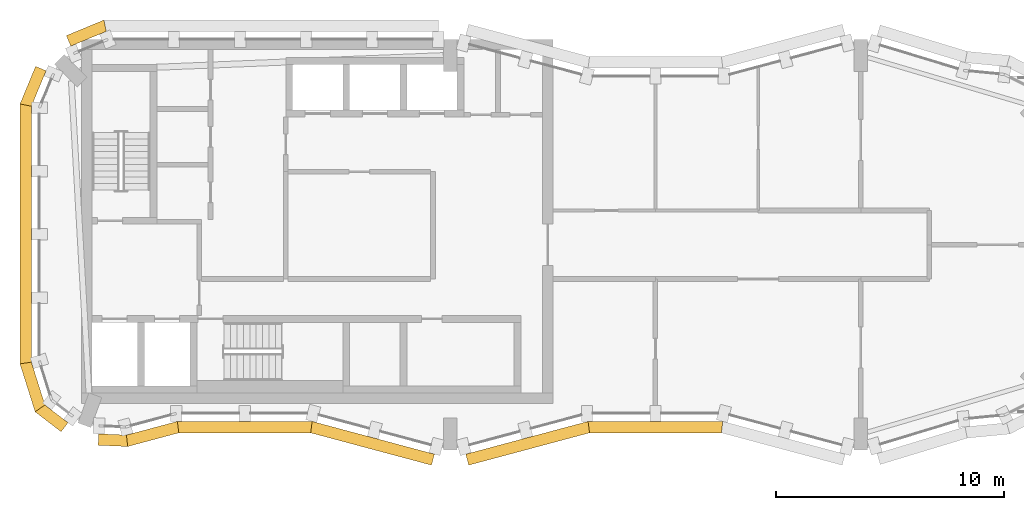
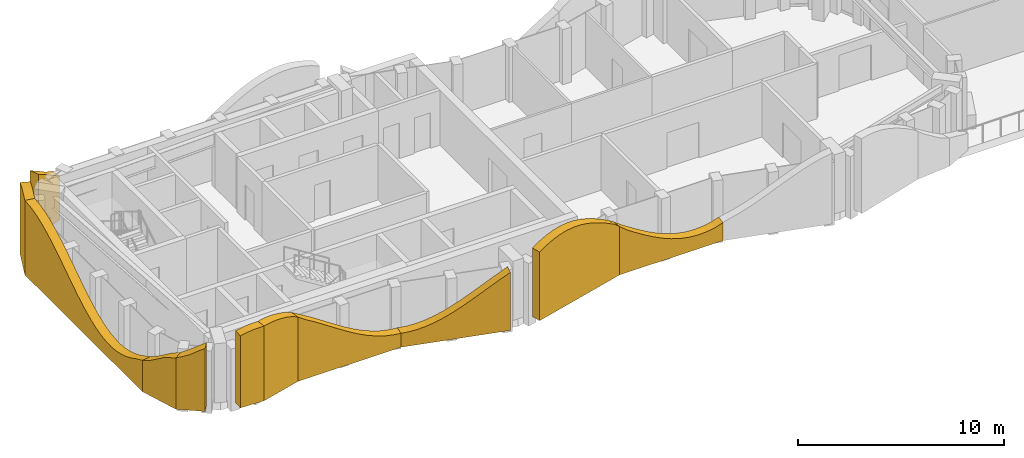
# One storey, part 7 of 9: 11 coverings.
"""IFC4 building model written with IfcOpenShell, lengths in metres."""

from ifc_helpers import new_model, si_unit, direction, frame, origin, place, context, subcontext, project, spatial, faceted_brep, material, layer, layer_set, type_object, element, save


model = new_model("IFC4")

# Units and contexts
model_context = context("Model", 3, precision=1e-05, world=origin(), true_north=direction((0.0, 1.0)))
body_context = subcontext(model_context, "Body", "Model", "MODEL_VIEW")
ifc_project = project(units=[si_unit("LENGTHUNIT", "METRE"), si_unit("AREAUNIT", "SQUARE_METRE"), si_unit("VOLUMEUNIT", "CUBIC_METRE"), si_unit("PLANEANGLEUNIT", "RADIAN"), si_unit("MASSUNIT", "GRAM", prefix="KILO")], contexts=[model_context])

# Site, building, storey
site_placement = place(None, origin())
site = spatial("IfcSite", under=ifc_project, at=site_placement, CompositionType="ELEMENT")
building_placement = place(site_placement, origin())
building = spatial("IfcBuilding", under=site, at=building_placement, Name="Plateau Cross Towers", CompositionType="ELEMENT")
storey_placement = place(building_placement, frame((0.0, 0.0, 287.89990234375)))
storey = spatial("IfcBuildingStorey", under=building, at=storey_placement, Name="L76 Crown 1", CompositionType="ELEMENT", Elevation=287.89990234375)

# Coverings
ifc_material = material(Name="Anodised aluminium fascia", Category="aluminium")
ifc_layer = layer(ifc_material, 0.5)
ifc_layer_set = layer_set([ifc_layer], Name="Anodised aluminium fascia")
covering_type = type_object("IfcCoveringType", Name="Crown fascia panel 500", PredefinedType="CLADDING", material=ifc_layer_set)
covering_1_placement = place(storey_placement, origin())
element("IfcCovering", 1, at=covering_1_placement, inside=storey, type_object=covering_type, Name="Crown fascia panel bottom", PredefinedType="CLADDING", context=body_context, shape_type="Brep", body=[
    faceted_brep([(3.814697265625, 0.6591796875, 0.0), (3.814697265625, 0.6591796875, 4.425048828125), (4.3115234375, 0.792236328125, 4.398681640625), (4.3115234375, 0.792236328125, 0.0), (3.86962890625, 0.156494140625, 0.0), (4.440673828125, 0.309326171875, 0.0), (4.440673828125, 0.309326171875, 4.398681640625), (3.86962890625, 0.156494140625, 4.425048828125), (4.756103515625, 0.911376953125, 4.3203125), (4.756103515625, 0.911376953125, 0.0), (4.885498046875, 0.428466796875, 0.0), (4.885498046875, 0.428466796875, 4.3203125), (5.200927734375, 1.030517578125, 4.19189453125), (5.200927734375, 1.030517578125, 0.0), (5.330322265625, 0.547607421875, 0.0), (5.330322265625, 0.547607421875, 4.19189453125), (5.645751953125, 1.149658203125, 4.017822265625), (5.645751953125, 1.149658203125, 0.0), (5.775146484375, 0.666748046875, 0.0), (5.775146484375, 0.666748046875, 4.017822265625), (6.046142578125, 1.2568359375, 3.802490234375), (6.046142578125, 1.2568359375, 0.0), (6.11181640625, 0.7568359375, 0.0), (6.11181640625, 0.7568359375, 3.802490234375)], [[[0, 1, 2, 3]], [[4, 5, 6, 7]], [[0, 3, 5, 4]], [[1, 7, 6, 2]], [[3, 2, 8, 9]], [[5, 10, 11, 6]], [[3, 9, 10, 5]], [[2, 6, 11, 8]], [[9, 8, 12, 13]], [[10, 14, 15, 11]], [[9, 13, 14, 10]], [[8, 11, 15, 12]], [[13, 12, 16, 17]], [[14, 18, 19, 15]], [[13, 17, 18, 14]], [[12, 15, 19, 16]], [[17, 16, 20, 21]], [[18, 22, 23, 19]], [[17, 21, 22, 18]], [[16, 19, 23, 20]], [[0, 4, 7, 1]], [[21, 20, 23, 22]]]),
])
covering_2_placement = place(storey_placement, origin())
element("IfcCovering", 2, at=covering_2_placement, inside=storey, type_object=covering_type, Name="Crown fascia panel bottom", PredefinedType="CLADDING", context=body_context, shape_type="Brep", body=[
    faceted_brep([(6.046142578125, 1.2568359375, 0.0), (6.046142578125, 1.2568359375, 3.802490234375), (6.5, 1.2568359375, 3.530029296875), (6.5, 1.2568359375, 0.0), (6.11181640625, 0.7568359375, 0.0), (6.5, 0.7568359375, 0.0), (6.5, 0.7568359375, 3.530029296875), (6.11181640625, 0.7568359375, 3.802490234375), (7.0, 1.2568359375, 3.226318359375), (7.0, 1.2568359375, 0.0), (7.0, 0.7568359375, 0.0), (7.0, 0.7568359375, 3.226318359375), (7.5, 1.2568359375, 2.901611328125), (7.5, 1.2568359375, 0.0), (7.5, 0.7568359375, 0.0), (7.5, 0.7568359375, 2.901611328125), (8.0, 1.2568359375, 2.5673828125), (8.0, 1.2568359375, 0.0), (8.0, 0.7568359375, 0.0), (8.0, 0.7568359375, 2.5673828125), (8.5, 1.2568359375, 2.235107421875), (8.5, 1.2568359375, 0.0), (8.5, 0.7568359375, 0.0), (8.5, 0.7568359375, 2.235107421875), (9.0, 1.2568359375, 1.91650390625), (9.0, 1.2568359375, 0.0), (9.0, 0.7568359375, 0.0), (9.0, 0.7568359375, 1.91650390625), (9.5, 1.2568359375, 1.622314453125), (9.5, 1.2568359375, 0.0), (9.5, 0.7568359375, 0.0), (9.5, 0.7568359375, 1.622314453125), (10.0, 1.2568359375, 1.36279296875), (10.0, 1.2568359375, 0.0), (10.0, 0.7568359375, 0.0), (10.0, 0.7568359375, 1.36279296875), (10.5, 1.2568359375, 1.14697265625), (10.5, 1.2568359375, 0.0), (10.5, 0.7568359375, 0.0), (10.5, 0.7568359375, 1.14697265625), (11.0, 1.2568359375, 0.982421875), (11.0, 1.2568359375, 0.0), (11.0, 0.7568359375, 0.0), (11.0, 0.7568359375, 0.982421875), (11.5, 1.2568359375, 0.87451171875), (11.5, 1.2568359375, 0.0), (11.5, 0.7568359375, 0.0), (11.5, 0.7568359375, 0.87451171875), (11.953857421875, 1.2568359375, 0.8271484375), (11.953857421875, 1.2568359375, 0.0), (11.88818359375, 0.7568359375, 0.0), (11.88818359375, 0.7568359375, 0.8271484375)], [[[0, 1, 2, 3]], [[4, 5, 6, 7]], [[0, 3, 5, 4]], [[1, 7, 6, 2]], [[3, 2, 8, 9]], [[5, 10, 11, 6]], [[3, 9, 10, 5]], [[2, 6, 11, 8]], [[9, 8, 12, 13]], [[10, 14, 15, 11]], [[9, 13, 14, 10]], [[8, 11, 15, 12]], [[13, 12, 16, 17]], [[14, 18, 19, 15]], [[13, 17, 18, 14]], [[12, 15, 19, 16]], [[17, 16, 20, 21]], [[18, 22, 23, 19]], [[17, 21, 22, 18]], [[16, 19, 23, 20]], [[21, 20, 24, 25]], [[22, 26, 27, 23]], [[21, 25, 26, 22]], [[20, 23, 27, 24]], [[25, 24, 28, 29]], [[26, 30, 31, 27]], [[25, 29, 30, 26]], [[24, 27, 31, 28]], [[29, 28, 32, 33]], [[30, 34, 35, 31]], [[29, 33, 34, 30]], [[28, 31, 35, 32]], [[33, 32, 36, 37]], [[34, 38, 39, 35]], [[33, 37, 38, 34]], [[32, 35, 39, 36]], [[37, 36, 40, 41]], [[38, 42, 43, 39]], [[37, 41, 42, 38]], [[36, 39, 43, 40]], [[41, 40, 44, 45]], [[42, 46, 47, 43]], [[41, 45, 46, 42]], [[40, 43, 47, 44]], [[45, 44, 48, 49]], [[46, 50, 51, 47]], [[45, 49, 50, 46]], [[44, 47, 51, 48]], [[0, 4, 7, 1]], [[49, 48, 51, 50]]]),
])
covering_3_placement = place(storey_placement, origin())
element("IfcCovering", 3, at=covering_3_placement, inside=storey, type_object=covering_type, Name="Crown fascia panel bottom", PredefinedType="CLADDING", context=body_context, shape_type="Brep", body=[
    faceted_brep([(11.953857421875, 1.2568359375, 0.0), (11.953857421875, 1.2568359375, 0.8271484375), (12.359619140625, 1.148193359375, 0.839111328125), (12.359619140625, 1.148193359375, 0.0), (11.88818359375, 0.7568359375, 0.0), (12.23046875, 0.665283203125, 0.0), (12.23046875, 0.665283203125, 0.839111328125), (11.88818359375, 0.7568359375, 0.8271484375), (12.81005859375, 1.027587890625, 0.90478515625), (12.81005859375, 1.027587890625, 0.0), (12.6806640625, 0.544677734375, 0.0), (12.6806640625, 0.544677734375, 0.90478515625), (13.26025390625, 0.906982421875, 1.022216796875), (13.26025390625, 0.906982421875, 0.0), (13.130859375, 0.424072265625, 0.0), (13.130859375, 0.424072265625, 1.022216796875), (13.71044921875, 0.786376953125, 1.18798828125), (13.71044921875, 0.786376953125, 0.0), (13.5810546875, 0.303466796875, 0.0), (13.5810546875, 0.303466796875, 1.18798828125), (14.16064453125, 0.665771484375, 1.396728515625), (14.16064453125, 0.665771484375, 0.0), (14.031494140625, 0.182861328125, 0.0), (14.031494140625, 0.182861328125, 1.396728515625), (14.611083984375, 0.545166015625, 1.642578125), (14.611083984375, 0.545166015625, 0.0), (14.481689453125, 0.062255859375, 0.0), (14.481689453125, 0.062255859375, 1.642578125), (15.061279296875, 0.4248046875, 1.91796875), (15.061279296875, 0.4248046875, 0.0), (14.931884765625, -0.058349609375, 0.0), (14.931884765625, -0.058349609375, 1.91796875), (15.511474609375, 0.30419921875, 2.214599609375), (15.511474609375, 0.30419921875, 0.0), (15.382080078125, -0.178955078125, 0.0), (15.382080078125, -0.178955078125, 2.214599609375), (15.9619140625, 0.18359375, 2.523681640625), (15.9619140625, 0.18359375, 0.0), (15.83251953125, -0.299560546875, 0.0), (15.83251953125, -0.299560546875, 2.523681640625), (16.412109375, 0.06298828125, 2.835693359375), (16.412109375, 0.06298828125, 0.0), (16.28271484375, -0.419921875, 0.0), (16.28271484375, -0.419921875, 2.835693359375), (16.8623046875, -0.0576171875, 3.141357421875), (16.8623046875, -0.0576171875, 0.0), (16.73291015625, -0.54052734375, 0.0), (16.73291015625, -0.54052734375, 3.141357421875), (17.3125, -0.17822265625, 3.431640625), (17.3125, -0.17822265625, 0.0), (17.183349609375, -0.6611328125, 0.0), (17.183349609375, -0.6611328125, 3.431640625)], [[[0, 1, 2, 3]], [[4, 5, 6, 7]], [[0, 3, 5, 4]], [[1, 7, 6, 2]], [[3, 2, 8, 9]], [[5, 10, 11, 6]], [[3, 9, 10, 5]], [[2, 6, 11, 8]], [[9, 8, 12, 13]], [[10, 14, 15, 11]], [[9, 13, 14, 10]], [[8, 11, 15, 12]], [[13, 12, 16, 17]], [[14, 18, 19, 15]], [[13, 17, 18, 14]], [[12, 15, 19, 16]], [[17, 16, 20, 21]], [[18, 22, 23, 19]], [[17, 21, 22, 18]], [[16, 19, 23, 20]], [[21, 20, 24, 25]], [[22, 26, 27, 23]], [[21, 25, 26, 22]], [[20, 23, 27, 24]], [[25, 24, 28, 29]], [[26, 30, 31, 27]], [[25, 29, 30, 26]], [[24, 27, 31, 28]], [[29, 28, 32, 33]], [[30, 34, 35, 31]], [[29, 33, 34, 30]], [[28, 31, 35, 32]], [[33, 32, 36, 37]], [[34, 38, 39, 35]], [[33, 37, 38, 34]], [[32, 35, 39, 36]], [[37, 36, 40, 41]], [[38, 42, 43, 39]], [[37, 41, 42, 38]], [[36, 39, 43, 40]], [[41, 40, 44, 45]], [[42, 46, 47, 43]], [[41, 45, 46, 42]], [[40, 43, 47, 44]], [[45, 44, 48, 49]], [[46, 50, 51, 47]], [[45, 49, 50, 46]], [[44, 47, 51, 48]], [[0, 4, 7, 1]], [[49, 48, 51, 50]]]),
])
covering_4_placement = place(storey_placement, origin())
element("IfcCovering", 4, at=covering_4_placement, inside=storey, type_object=covering_type, Name="Crown fascia panel bottom", PredefinedType="CLADDING", context=body_context, shape_type="Brep", body=[
    faceted_brep([(18.6875, -0.17822265625, 0.0), (18.6875, -0.17822265625, 4.062744140625), (19.1376953125, -0.0576171875, 4.228271484375), (19.1376953125, -0.0576171875, 0.0), (18.816650390625, -0.6611328125, 0.0), (19.26708984375, -0.54052734375, 0.0), (19.26708984375, -0.54052734375, 4.228271484375), (18.816650390625, -0.6611328125, 4.062744140625), (19.587890625, 0.06298828125, 4.345458984375), (19.587890625, 0.06298828125, 0.0), (19.71728515625, -0.419921875, 0.0), (19.71728515625, -0.419921875, 4.345458984375), (20.0380859375, 0.18359375, 4.4111328125), (20.0380859375, 0.18359375, 0.0), (20.16748046875, -0.299560546875, 0.0), (20.16748046875, -0.299560546875, 4.4111328125), (20.488525390625, 0.30419921875, 4.4228515625), (20.488525390625, 0.30419921875, 0.0), (20.617919921875, -0.178955078125, 0.0), (20.617919921875, -0.178955078125, 4.4228515625), (20.938720703125, 0.4248046875, 4.380615234375), (20.938720703125, 0.4248046875, 0.0), (21.068115234375, -0.058349609375, 0.0), (21.068115234375, -0.058349609375, 4.380615234375), (21.388916015625, 0.545166015625, 4.28564453125), (21.388916015625, 0.545166015625, 0.0), (21.518310546875, 0.062255859375, 0.0), (21.518310546875, 0.062255859375, 4.28564453125), (21.83935546875, 0.665771484375, 4.140625), (21.83935546875, 0.665771484375, 0.0), (21.968505859375, 0.182861328125, 0.0), (21.968505859375, 0.182861328125, 4.140625), (22.28955078125, 0.786376953125, 3.9501953125), (22.28955078125, 0.786376953125, 0.0), (22.4189453125, 0.303466796875, 0.0), (22.4189453125, 0.303466796875, 3.9501953125), (22.73974609375, 0.906982421875, 3.7197265625), (22.73974609375, 0.906982421875, 0.0), (22.869140625, 0.424072265625, 0.0), (22.869140625, 0.424072265625, 3.7197265625), (23.18994140625, 1.027587890625, 3.456298828125), (23.18994140625, 1.027587890625, 0.0), (23.3193359375, 0.544677734375, 0.0), (23.3193359375, 0.544677734375, 3.456298828125), (23.640380859375, 1.148193359375, 3.16796875), (23.640380859375, 1.148193359375, 0.0), (23.76953125, 0.665283203125, 0.0), (23.76953125, 0.665283203125, 3.16796875), (24.046142578125, 1.2568359375, 2.86328125), (24.046142578125, 1.2568359375, 0.0), (24.11181640625, 0.7568359375, 0.0), (24.11181640625, 0.7568359375, 2.86328125)], [[[0, 1, 2, 3]], [[4, 5, 6, 7]], [[0, 3, 5, 4]], [[1, 7, 6, 2]], [[3, 2, 8, 9]], [[5, 10, 11, 6]], [[3, 9, 10, 5]], [[2, 6, 11, 8]], [[9, 8, 12, 13]], [[10, 14, 15, 11]], [[9, 13, 14, 10]], [[8, 11, 15, 12]], [[13, 12, 16, 17]], [[14, 18, 19, 15]], [[13, 17, 18, 14]], [[12, 15, 19, 16]], [[17, 16, 20, 21]], [[18, 22, 23, 19]], [[17, 21, 22, 18]], [[16, 19, 23, 20]], [[21, 20, 24, 25]], [[22, 26, 27, 23]], [[21, 25, 26, 22]], [[20, 23, 27, 24]], [[25, 24, 28, 29]], [[26, 30, 31, 27]], [[25, 29, 30, 26]], [[24, 27, 31, 28]], [[29, 28, 32, 33]], [[30, 34, 35, 31]], [[29, 33, 34, 30]], [[28, 31, 35, 32]], [[33, 32, 36, 37]], [[34, 38, 39, 35]], [[33, 37, 38, 34]], [[32, 35, 39, 36]], [[37, 36, 40, 41]], [[38, 42, 43, 39]], [[37, 41, 42, 38]], [[36, 39, 43, 40]], [[41, 40, 44, 45]], [[42, 46, 47, 43]], [[41, 45, 46, 42]], [[40, 43, 47, 44]], [[45, 44, 48, 49]], [[46, 50, 51, 47]], [[45, 49, 50, 46]], [[44, 47, 51, 48]], [[0, 4, 7, 1]], [[49, 48, 51, 50]]]),
])
covering_5_placement = place(storey_placement, origin())
element("IfcCovering", 5, at=covering_5_placement, inside=storey, type_object=covering_type, Name="Crown fascia panel bottom", PredefinedType="CLADDING", context=body_context, shape_type="Brep", body=[
    faceted_brep([(24.046142578125, 1.2568359375, 0.0), (24.046142578125, 1.2568359375, 2.86328125), (24.5, 1.2568359375, 2.528564453125), (24.5, 1.2568359375, 0.0), (24.11181640625, 0.7568359375, 0.0), (24.5, 0.7568359375, 0.0), (24.5, 0.7568359375, 2.528564453125), (24.11181640625, 0.7568359375, 2.86328125), (25.0, 1.2568359375, 2.197509765625), (25.0, 1.2568359375, 0.0), (25.0, 0.7568359375, 0.0), (25.0, 0.7568359375, 2.197509765625), (25.5, 1.2568359375, 1.880859375), (25.5, 1.2568359375, 0.0), (25.5, 0.7568359375, 0.0), (25.5, 0.7568359375, 1.880859375), (26.0, 1.2568359375, 1.59033203125), (26.0, 1.2568359375, 0.0), (26.0, 0.7568359375, 0.0), (26.0, 0.7568359375, 1.59033203125), (26.5, 1.2568359375, 1.33544921875), (26.5, 1.2568359375, 0.0), (26.5, 0.7568359375, 0.0), (26.5, 0.7568359375, 1.33544921875), (27.0, 1.2568359375, 1.125244140625), (27.0, 1.2568359375, 0.0), (27.0, 0.7568359375, 0.0), (27.0, 0.7568359375, 1.125244140625), (27.5, 1.2568359375, 0.966796875), (27.5, 1.2568359375, 0.0), (27.5, 0.7568359375, 0.0), (27.5, 0.7568359375, 0.966796875), (28.0, 1.2568359375, 0.865966796875), (28.0, 1.2568359375, 0.0), (28.0, 0.7568359375, 0.0), (28.0, 0.7568359375, 0.865966796875), (28.5, 1.2568359375, 0.82568359375), (28.5, 1.2568359375, 0.0), (28.5, 0.7568359375, 0.0), (28.5, 0.7568359375, 0.82568359375), (29.0, 1.2568359375, 0.847900390625), (29.0, 1.2568359375, 0.0), (29.0, 0.7568359375, 0.0), (29.0, 0.7568359375, 0.847900390625), (29.5, 1.2568359375, 0.931640625), (29.5, 1.2568359375, 0.0), (29.5, 0.7568359375, 0.0), (29.5, 0.7568359375, 0.931640625), (29.953857421875, 1.2568359375, 1.07373046875), (29.953857421875, 1.2568359375, 0.0), (29.88818359375, 0.7568359375, 0.0), (29.88818359375, 0.7568359375, 1.07373046875)], [[[0, 1, 2, 3]], [[4, 5, 6, 7]], [[0, 3, 5, 4]], [[1, 7, 6, 2]], [[3, 2, 8, 9]], [[5, 10, 11, 6]], [[3, 9, 10, 5]], [[2, 6, 11, 8]], [[9, 8, 12, 13]], [[10, 14, 15, 11]], [[9, 13, 14, 10]], [[8, 11, 15, 12]], [[13, 12, 16, 17]], [[14, 18, 19, 15]], [[13, 17, 18, 14]], [[12, 15, 19, 16]], [[17, 16, 20, 21]], [[18, 22, 23, 19]], [[17, 21, 22, 18]], [[16, 19, 23, 20]], [[21, 20, 24, 25]], [[22, 26, 27, 23]], [[21, 25, 26, 22]], [[20, 23, 27, 24]], [[25, 24, 28, 29]], [[26, 30, 31, 27]], [[25, 29, 30, 26]], [[24, 27, 31, 28]], [[29, 28, 32, 33]], [[30, 34, 35, 31]], [[29, 33, 34, 30]], [[28, 31, 35, 32]], [[33, 32, 36, 37]], [[34, 38, 39, 35]], [[33, 37, 38, 34]], [[32, 35, 39, 36]], [[37, 36, 40, 41]], [[38, 42, 43, 39]], [[37, 41, 42, 38]], [[36, 39, 43, 40]], [[41, 40, 44, 45]], [[42, 46, 47, 43]], [[41, 45, 46, 42]], [[40, 43, 47, 44]], [[45, 44, 48, 49]], [[46, 50, 51, 47]], [[45, 49, 50, 46]], [[44, 47, 51, 48]], [[0, 4, 7, 1]], [[49, 48, 51, 50]]]),
])
covering_6_placement = place(storey_placement, origin())
element("IfcCovering", 6, at=covering_6_placement, inside=storey, type_object=covering_type, Name="Crown fascia panel bottom", PredefinedType="CLADDING", context=body_context, shape_type="Brep", body=[
    faceted_brep([(2.930419921875, 18.35009765625, 0.0), (2.930419921875, 18.35009765625, 2.61572265625), (2.4931640625, 18.1689453125, 2.885498046875), (2.4931640625, 18.1689453125, 0.0), (2.830810546875, 18.85009765625, 0.0), (2.3017578125, 18.630859375, 0.0), (2.3017578125, 18.630859375, 2.885498046875), (2.830810546875, 18.85009765625, 2.61572265625), (2.1201171875, 18.014404296875, 3.1494140625), (2.1201171875, 18.014404296875, 0.0), (1.9287109375, 18.476318359375, 0.0), (1.9287109375, 18.476318359375, 3.1494140625), (1.747314453125, 17.85986328125, 3.4013671875), (1.747314453125, 17.85986328125, 0.0), (1.555908203125, 18.32177734375, 0.0), (1.555908203125, 18.32177734375, 3.4013671875), (1.374267578125, 17.705322265625, 3.635986328125), (1.374267578125, 17.705322265625, 0.0), (1.182861328125, 18.16748046875, 0.0), (1.182861328125, 18.16748046875, 3.635986328125)], [[[0, 1, 2, 3]], [[4, 5, 6, 7]], [[0, 3, 5, 4]], [[1, 7, 6, 2]], [[3, 2, 8, 9]], [[5, 10, 11, 6]], [[3, 9, 10, 5]], [[2, 6, 11, 8]], [[9, 8, 12, 13]], [[10, 14, 15, 11]], [[9, 13, 14, 10]], [[8, 11, 15, 12]], [[13, 12, 16, 17]], [[14, 18, 19, 15]], [[13, 17, 18, 14]], [[12, 15, 19, 16]], [[0, 4, 7, 1]], [[17, 16, 19, 18]]]),
])
covering_7_placement = place(storey_placement, origin())
element("IfcCovering", 7, at=covering_7_placement, inside=storey, type_object=covering_type, Name="Crown fascia panel bottom", PredefinedType="CLADDING", context=body_context, shape_type="Brep", body=[
    faceted_brep([(0.294677734375, 16.625732421875, 0.0), (0.294677734375, 16.625732421875, 4.232421875), (0.14013671875, 16.252685546875, 4.335693359375), (0.14013671875, 16.252685546875, 0.0), (-0.16748046875, 16.817138671875, 0.0), (-0.32177734375, 16.444091796875, 0.0), (-0.32177734375, 16.444091796875, 4.335693359375), (-0.16748046875, 16.817138671875, 4.232421875), (-0.014404296875, 15.8798828125, 4.400390625), (-0.014404296875, 15.8798828125, 0.0), (-0.476318359375, 16.0712890625, 0.0), (-0.476318359375, 16.0712890625, 4.400390625), (-0.1689453125, 15.5068359375, 4.4248046875), (-0.1689453125, 15.5068359375, 0.0), (-0.630859375, 15.6982421875, 0.0), (-0.630859375, 15.6982421875, 4.4248046875), (-0.35009765625, 15.069580078125, 4.40869140625), (-0.35009765625, 15.069580078125, 0.0), (-0.85009765625, 15.169189453125, 0.0), (-0.85009765625, 15.169189453125, 4.40869140625)], [[[0, 1, 2, 3]], [[4, 5, 6, 7]], [[0, 3, 5, 4]], [[1, 7, 6, 2]], [[3, 2, 8, 9]], [[5, 10, 11, 6]], [[3, 9, 10, 5]], [[2, 6, 11, 8]], [[9, 8, 12, 13]], [[10, 14, 15, 11]], [[9, 13, 14, 10]], [[8, 11, 15, 12]], [[13, 12, 16, 17]], [[14, 18, 19, 15]], [[13, 17, 18, 14]], [[12, 15, 19, 16]], [[0, 4, 7, 1]], [[17, 16, 19, 18]]]),
])
covering_8_placement = place(storey_placement, origin())
element("IfcCovering", 8, at=covering_8_placement, inside=storey, type_object=covering_type, Name="Crown fascia panel bottom", PredefinedType="CLADDING", context=body_context, shape_type="Brep", body=[
    faceted_brep([(-0.35009765625, 15.069580078125, 0.0), (-0.35009765625, 15.069580078125, 4.40869140625), (-0.35009765625, 14.517822265625, 4.3369140625), (-0.35009765625, 14.517822265625, 0.0), (-0.85009765625, 15.169189453125, 0.0), (-0.85009765625, 14.517822265625, 0.0), (-0.85009765625, 14.517822265625, 4.3369140625), (-0.85009765625, 15.169189453125, 4.40869140625), (-0.35009765625, 14.03564453125, 4.209716796875), (-0.35009765625, 14.03564453125, 0.0), (-0.85009765625, 14.03564453125, 0.0), (-0.85009765625, 14.03564453125, 4.209716796875), (-0.35009765625, 13.553466796875, 4.03173828125), (-0.35009765625, 13.553466796875, 0.0), (-0.85009765625, 13.553466796875, 0.0), (-0.85009765625, 13.553466796875, 4.03173828125), (-0.35009765625, 13.071044921875, 3.808349609375), (-0.35009765625, 13.071044921875, 0.0), (-0.85009765625, 13.071044921875, 0.0), (-0.85009765625, 13.071044921875, 3.808349609375), (-0.35009765625, 12.5888671875, 3.547119140625), (-0.35009765625, 12.5888671875, 0.0), (-0.85009765625, 12.5888671875, 0.0), (-0.85009765625, 12.5888671875, 3.547119140625), (-0.35009765625, 12.106689453125, 3.256103515625), (-0.35009765625, 12.106689453125, 0.0), (-0.85009765625, 12.106689453125, 0.0), (-0.85009765625, 12.106689453125, 3.256103515625), (-0.35009765625, 11.62451171875, 2.944580078125), (-0.35009765625, 11.62451171875, 0.0), (-0.85009765625, 11.62451171875, 0.0), (-0.85009765625, 11.62451171875, 2.944580078125), (-0.35009765625, 11.142333984375, 2.623046875), (-0.35009765625, 11.142333984375, 0.0), (-0.85009765625, 11.142333984375, 0.0), (-0.85009765625, 11.142333984375, 2.623046875), (-0.35009765625, 10.66015625, 2.30126953125), (-0.35009765625, 10.66015625, 0.0), (-0.85009765625, 10.66015625, 0.0), (-0.85009765625, 10.66015625, 2.30126953125), (-0.35009765625, 10.177978515625, 1.990234375), (-0.35009765625, 10.177978515625, 0.0), (-0.85009765625, 10.177978515625, 0.0), (-0.85009765625, 10.177978515625, 1.990234375), (-0.35009765625, 9.69580078125, 1.699462890625), (-0.35009765625, 9.69580078125, 0.0), (-0.85009765625, 9.69580078125, 0.0), (-0.85009765625, 9.69580078125, 1.699462890625), (-0.35009765625, 9.21337890625, 1.4384765625), (-0.35009765625, 9.21337890625, 0.0), (-0.85009765625, 9.21337890625, 0.0), (-0.85009765625, 9.21337890625, 1.4384765625), (-0.35009765625, 8.731201171875, 1.2158203125), (-0.35009765625, 8.731201171875, 0.0), (-0.85009765625, 8.731201171875, 0.0), (-0.85009765625, 8.731201171875, 1.2158203125), (-0.35009765625, 8.2490234375, 1.038330078125), (-0.35009765625, 8.2490234375, 0.0), (-0.85009765625, 8.2490234375, 0.0), (-0.85009765625, 8.2490234375, 1.038330078125), (-0.35009765625, 7.766845703125, 0.912109375), (-0.35009765625, 7.766845703125, 0.0), (-0.85009765625, 7.766845703125, 0.0), (-0.85009765625, 7.766845703125, 0.912109375), (-0.35009765625, 7.28466796875, 0.8408203125), (-0.35009765625, 7.28466796875, 0.0), (-0.85009765625, 7.28466796875, 0.0), (-0.85009765625, 7.28466796875, 0.8408203125), (-0.35009765625, 6.802490234375, 0.8271484375), (-0.35009765625, 6.802490234375, 0.0), (-0.85009765625, 6.802490234375, 0.0), (-0.85009765625, 6.802490234375, 0.8271484375), (-0.35009765625, 6.3203125, 0.871337890625), (-0.35009765625, 6.3203125, 0.0), (-0.85009765625, 6.3203125, 0.0), (-0.85009765625, 6.3203125, 0.871337890625), (-0.35009765625, 5.837890625, 0.971923828125), (-0.35009765625, 5.837890625, 0.0), (-0.85009765625, 5.837890625, 0.0), (-0.85009765625, 5.837890625, 0.971923828125), (-0.35009765625, 5.355712890625, 1.125732421875), (-0.35009765625, 5.355712890625, 0.0), (-0.85009765625, 5.355712890625, 0.0), (-0.85009765625, 5.355712890625, 1.125732421875), (-0.35009765625, 4.87353515625, 1.32763671875), (-0.35009765625, 4.87353515625, 0.0), (-0.85009765625, 4.87353515625, 0.0), (-0.85009765625, 4.87353515625, 1.32763671875), (-0.35009765625, 4.391357421875, 1.571533203125), (-0.35009765625, 4.391357421875, 0.0), (-0.85009765625, 4.391357421875, 0.0), (-0.85009765625, 4.391357421875, 1.571533203125), (-0.35009765625, 3.855224609375, 1.849365234375), (-0.35009765625, 3.855224609375, 0.0), (-0.85009765625, 3.7783203125, 0.0), (-0.85009765625, 3.7783203125, 1.849365234375)], [[[0, 1, 2, 3]], [[4, 5, 6, 7]], [[0, 3, 5, 4]], [[1, 7, 6, 2]], [[3, 2, 8, 9]], [[5, 10, 11, 6]], [[3, 9, 10, 5]], [[2, 6, 11, 8]], [[9, 8, 12, 13]], [[10, 14, 15, 11]], [[9, 13, 14, 10]], [[8, 11, 15, 12]], [[13, 12, 16, 17]], [[14, 18, 19, 15]], [[13, 17, 18, 14]], [[12, 15, 19, 16]], [[17, 16, 20, 21]], [[18, 22, 23, 19]], [[17, 21, 22, 18]], [[16, 19, 23, 20]], [[21, 20, 24, 25]], [[22, 26, 27, 23]], [[21, 25, 26, 22]], [[20, 23, 27, 24]], [[25, 24, 28, 29]], [[26, 30, 31, 27]], [[25, 29, 30, 26]], [[24, 27, 31, 28]], [[29, 28, 32, 33]], [[30, 34, 35, 31]], [[29, 33, 34, 30]], [[28, 31, 35, 32]], [[33, 32, 36, 37]], [[34, 38, 39, 35]], [[33, 37, 38, 34]], [[32, 35, 39, 36]], [[37, 36, 40, 41]], [[38, 42, 43, 39]], [[37, 41, 42, 38]], [[36, 39, 43, 40]], [[41, 40, 44, 45]], [[42, 46, 47, 43]], [[41, 45, 46, 42]], [[40, 43, 47, 44]], [[45, 44, 48, 49]], [[46, 50, 51, 47]], [[45, 49, 50, 46]], [[44, 47, 51, 48]], [[49, 48, 52, 53]], [[50, 54, 55, 51]], [[49, 53, 54, 50]], [[48, 51, 55, 52]], [[53, 52, 56, 57]], [[54, 58, 59, 55]], [[53, 57, 58, 54]], [[52, 55, 59, 56]], [[57, 56, 60, 61]], [[58, 62, 63, 59]], [[57, 61, 62, 58]], [[56, 59, 63, 60]], [[61, 60, 64, 65]], [[62, 66, 67, 63]], [[61, 65, 66, 62]], [[60, 63, 67, 64]], [[65, 64, 68, 69]], [[66, 70, 71, 67]], [[65, 69, 70, 66]], [[64, 67, 71, 68]], [[69, 68, 72, 73]], [[70, 74, 75, 71]], [[69, 73, 74, 70]], [[68, 71, 75, 72]], [[73, 72, 76, 77]], [[74, 78, 79, 75]], [[73, 77, 78, 74]], [[72, 75, 79, 76]], [[77, 76, 80, 81]], [[78, 82, 83, 79]], [[77, 81, 82, 78]], [[76, 79, 83, 80]], [[81, 80, 84, 85]], [[82, 86, 87, 83]], [[81, 85, 86, 82]], [[80, 83, 87, 84]], [[85, 84, 88, 89]], [[86, 90, 91, 87]], [[85, 89, 90, 86]], [[84, 87, 91, 88]], [[89, 88, 92, 93]], [[90, 94, 95, 91]], [[89, 93, 94, 90]], [[88, 91, 95, 92]], [[0, 4, 7, 1]], [[93, 92, 95, 94]]]),
])
covering_9_placement = place(storey_placement, origin())
element("IfcCovering", 9, at=covering_9_placement, inside=storey, type_object=covering_type, Name="Crown fascia panel bottom", PredefinedType="CLADDING", context=body_context, shape_type="Brep", body=[
    faceted_brep([(-0.35009765625, 3.855224609375, 0.0), (-0.35009765625, 3.855224609375, 1.849365234375), (-0.1982421875, 3.373779296875, 2.1318359375), (-0.1982421875, 3.373779296875, 0.0), (-0.85009765625, 3.7783203125, 0.0), (-0.675048828125, 3.223388671875, 0.0), (-0.675048828125, 3.223388671875, 2.1318359375), (-0.85009765625, 3.7783203125, 1.849365234375), (-0.0625, 2.943603515625, 2.42822265625), (-0.0625, 2.943603515625, 0.0), (-0.539306640625, 2.793212890625, 0.0), (-0.539306640625, 2.793212890625, 2.42822265625), (0.072998046875, 2.513427734375, 2.730224609375), (0.072998046875, 2.513427734375, 0.0), (-0.40380859375, 2.363037109375, 0.0), (-0.40380859375, 2.363037109375, 2.730224609375), (0.241943359375, 1.97802734375, 3.029296875), (0.241943359375, 1.97802734375, 0.0), (-0.1875, 1.677490234375, 0.0), (-0.1875, 1.677490234375, 3.029296875)], [[[0, 1, 2, 3]], [[4, 5, 6, 7]], [[0, 3, 5, 4]], [[1, 7, 6, 2]], [[3, 2, 8, 9]], [[5, 10, 11, 6]], [[3, 9, 10, 5]], [[2, 6, 11, 8]], [[9, 8, 12, 13]], [[10, 14, 15, 11]], [[9, 13, 14, 10]], [[8, 11, 15, 12]], [[13, 12, 16, 17]], [[14, 18, 19, 15]], [[13, 17, 18, 14]], [[12, 15, 19, 16]], [[0, 4, 7, 1]], [[17, 16, 19, 18]]]),
])
covering_10_placement = place(storey_placement, origin())
element("IfcCovering", 10, at=covering_10_placement, inside=storey, type_object=covering_type, Name="Crown fascia panel bottom", PredefinedType="CLADDING", context=body_context, shape_type="Brep", body=[
    faceted_brep([(0.241943359375, 1.97802734375, 0.0), (0.241943359375, 1.97802734375, 3.029296875), (0.6376953125, 1.67431640625, 3.2783203125), (0.6376953125, 1.67431640625, 0.0), (-0.1875, 1.677490234375, 0.0), (0.333251953125, 1.277587890625, 0.0), (0.333251953125, 1.277587890625, 3.2783203125), (-0.1875, 1.677490234375, 3.029296875), (0.946044921875, 1.4375, 3.513427734375), (0.946044921875, 1.4375, 0.0), (0.641845703125, 1.041015625, 0.0), (0.641845703125, 1.041015625, 3.513427734375), (1.254638671875, 1.200927734375, 3.72998046875), (1.254638671875, 1.200927734375, 0.0), (0.9501953125, 0.80419921875, 0.0), (0.9501953125, 0.80419921875, 3.72998046875)], [[[0, 1, 2, 3]], [[4, 5, 6, 7]], [[0, 3, 5, 4]], [[1, 7, 6, 2]], [[3, 2, 8, 9]], [[5, 10, 11, 6]], [[3, 9, 10, 5]], [[2, 6, 11, 8]], [[9, 8, 12, 13]], [[10, 14, 15, 11]], [[9, 13, 14, 10]], [[8, 11, 15, 12]], [[0, 4, 7, 1]], [[13, 12, 15, 14]]]),
])
covering_11_placement = place(storey_placement, origin())
element("IfcCovering", 11, at=covering_11_placement, inside=storey, type_object=covering_type, Name="Crown fascia panel bottom", PredefinedType="CLADDING", context=body_context, shape_type="Brep", body=[
    faceted_brep([(2.595703125, 0.712646484375, 0.0), (2.595703125, 0.712646484375, 4.2578125), (2.984130859375, 0.695556640625, 4.35009765625), (2.984130859375, 0.695556640625, 0.0), (2.573974609375, 0.213134765625, 0.0), (2.962158203125, 0.196044921875, 0.0), (2.962158203125, 0.196044921875, 4.35009765625), (2.573974609375, 0.213134765625, 4.2578125), (3.37255859375, 0.6787109375, 4.40625), (3.37255859375, 0.6787109375, 0.0), (3.3505859375, 0.17919921875, 0.0), (3.3505859375, 0.17919921875, 4.40625), (3.814697265625, 0.6591796875, 4.425048828125), (3.814697265625, 0.6591796875, 0.0), (3.86962890625, 0.156494140625, 0.0), (3.86962890625, 0.156494140625, 4.425048828125)], [[[0, 1, 2, 3]], [[4, 5, 6, 7]], [[0, 3, 5, 4]], [[1, 7, 6, 2]], [[3, 2, 8, 9]], [[5, 10, 11, 6]], [[3, 9, 10, 5]], [[2, 6, 11, 8]], [[9, 8, 12, 13]], [[10, 14, 15, 11]], [[9, 13, 14, 10]], [[8, 11, 15, 12]], [[0, 4, 7, 1]], [[13, 12, 15, 14]]]),
])

save(model, "model.ifc")
